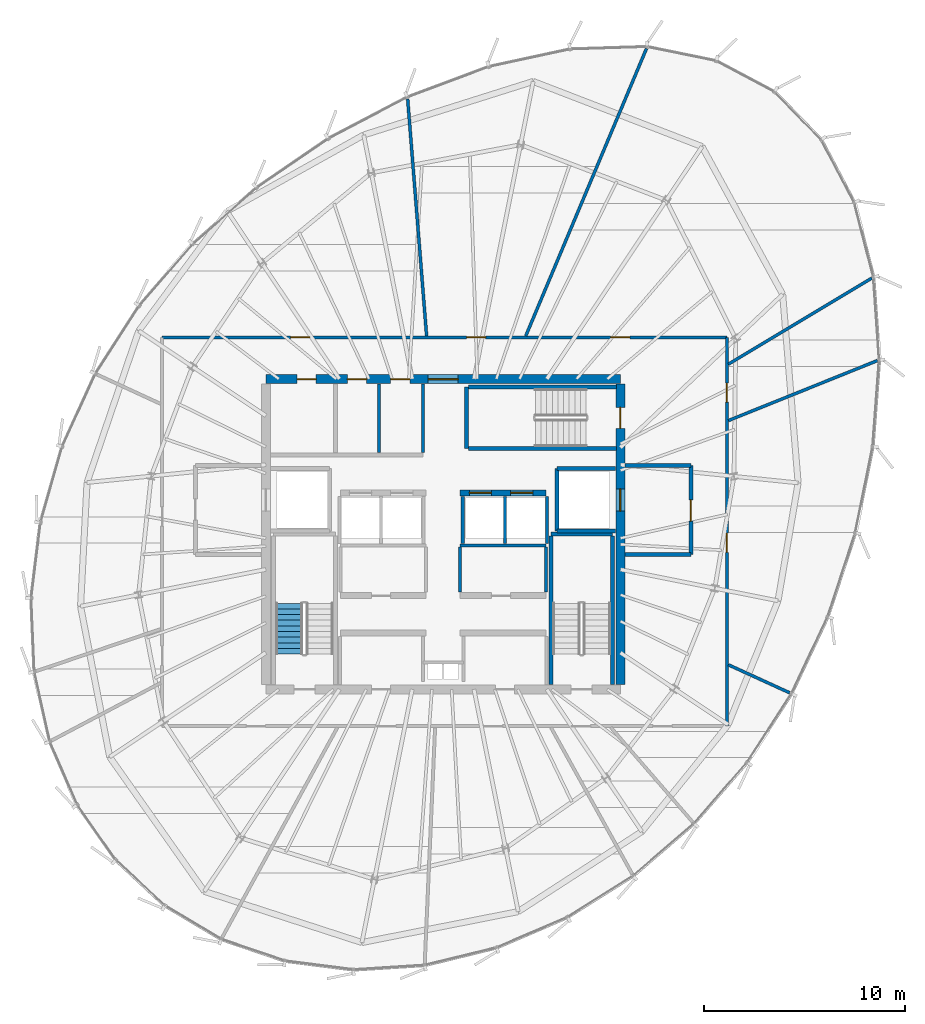
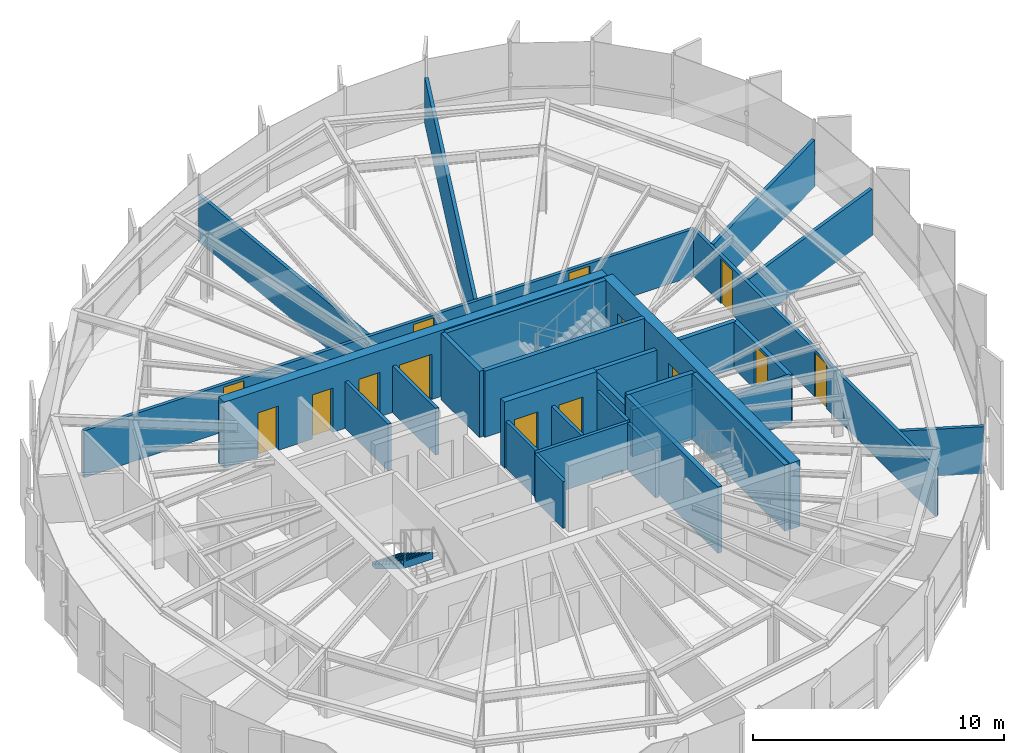
# One storey, part 30 of 35: 30 walls, 14 doors, 1 stair flight, 14 openings, 1 element without a shape of its own.
"""IFC4 building model written with IfcOpenShell, lengths in metres."""

from ifc_helpers import new_model, si_unit, direction, frame, frame_2d, origin, place, context, subcontext, project, spatial, polyline, rectangle, outline, extrude, source, transform, mapped, material, layer, layer_set, type_object, element, fill, aggregate, save


model = new_model("IFC4")

# Units and contexts
model_context = context("Model", 3, precision=1e-05, world=origin(), true_north=direction((0.0, 1.0)))
body_context = subcontext(model_context, "Body", "Model", "MODEL_VIEW")
ifc_project = project(units=[si_unit("LENGTHUNIT", "METRE"), si_unit("AREAUNIT", "SQUARE_METRE"), si_unit("VOLUMEUNIT", "CUBIC_METRE"), si_unit("PLANEANGLEUNIT", "RADIAN"), si_unit("MASSUNIT", "GRAM", prefix="KILO"), si_unit("THERMODYNAMICTEMPERATUREUNIT", "KELVIN")], contexts=[model_context])

# Site, building, storey
site_placement = place(None, origin())
site = spatial("IfcSite", under=ifc_project, at=site_placement, CompositionType="ELEMENT")
building_placement = place(site_placement, origin())
building = spatial("IfcBuilding", under=site, at=building_placement, Name="Kethvar Cultural Tower", CompositionType="ELEMENT")
storey_placement = place(building_placement, frame((0.0, 0.0, 249.10009765625)))
storey = spatial("IfcBuildingStorey", under=building, at=storey_placement, Name="L65", CompositionType="ELEMENT", Elevation=249.10009765625)

# Wall, openings, doors
ifc_material_1 = material(Name="Concrete C50/60", Category="concrete")
ifc_layer_1 = layer(ifc_material_1, 0.449951171875, Name="Concrete C50/60", Category="concrete")
ifc_layer_set_1 = layer_set([ifc_layer_1], Name="Concrete C50/60 (450 mm)")
wall_type_1 = type_object("IfcWallType", Name="WL-CORE-450", PredefinedType="SHEAR", material=ifc_layer_set_1)
wall_1_placement = place(storey_placement, frame((55.60009765625, 35.5, 0.0), z_axis=(0.0, 0.0, 1.0), x_axis=(-1.0, 0.0, 0.0)))
wall_1 = element("IfcWall", 1, at=wall_1_placement, inside=storey, type_object=wall_type_1, Name="L65 Core Shear Wall N", PredefinedType="SHEAR", context=body_context, shape_type="SweptSolid", body=[
    extrude(rectangle(XDim=17.60009765625, YDim=0.449951171875, at=frame_2d((8.800048828125, 0.0))), origin(), (0.0, 0.0, 1.0), 3.2099609375),
])
opening_1_placement = place(wall_1_placement, frame((8.050048828125, 0.0, 0.0)))
opening_1 = element("IfcOpeningElement", 2, at=opening_1_placement, cuts=wall_1, Name="Opening D-L65-LN", PredefinedType="OPENING", context=body_context, shape_type="SweptSolid", body=[
    extrude(rectangle(XDim=1.5, YDim=2.199951171875, at=frame_2d((0.75, 1.10009765625))), frame((0.0, 0.23486328125, 0.0), z_axis=(0.0, -1.0, 0.0), x_axis=(1.0, 0.0, 0.0)), (0.0, 0.0, 1.0), 0.469970703125),
])
opening_2_placement = place(wall_1_placement, frame((15.10009765625, 0.0, 0.0)))
opening_2 = element("IfcOpeningElement", 3, at=opening_2_placement, cuts=wall_1, Name="Opening D-L65-E1", PredefinedType="OPENING", context=body_context, shape_type="SweptSolid", body=[
    extrude(rectangle(XDim=0.949951171875, YDim=2.14990234375, at=frame_2d((0.47509765625, 1.074951171875))), frame((0.0, 0.23486328125, 0.0), z_axis=(0.0, -1.0, 0.0), x_axis=(1.0, 0.0, 0.0)), (0.0, 0.0, 1.0), 0.469970703125),
])
opening_3_placement = place(wall_1_placement, frame((12.60009765625, 0.0, 0.0)))
opening_3 = element("IfcOpeningElement", 4, at=opening_3_placement, cuts=wall_1, Name="Opening D-L65-W1", PredefinedType="OPENING", context=body_context, shape_type="SweptSolid", body=[
    extrude(rectangle(XDim=0.949951171875, YDim=2.14990234375, at=frame_2d((0.47509765625, 1.074951171875))), frame((0.0, 0.23486328125, 0.0), z_axis=(0.0, -1.0, 0.0), x_axis=(1.0, 0.0, 0.0)), (0.0, 0.0, 1.0), 0.469970703125),
])
opening_4_placement = place(wall_1_placement, frame((10.449951171875, 0.0, 0.0)))
opening_4 = element("IfcOpeningElement", 5, at=opening_4_placement, cuts=wall_1, Name="Opening D-L65-W2", PredefinedType="OPENING", context=body_context, shape_type="SweptSolid", body=[
    extrude(rectangle(XDim=0.949951171875, YDim=2.14990234375, at=frame_2d((0.47509765625, 1.074951171875))), frame((0.0, 0.23486328125, 0.0), z_axis=(0.0, -1.0, 0.0), x_axis=(1.0, 0.0, 0.0)), (0.0, 0.0, 1.0), 0.469970703125),
])
ifc_material_2 = material(Name="Architectural Oak Timber", Category="wood")
door_type_1 = type_object("IfcDoorType", Name="DR-DBL-FD60-1500", OperationType="DOUBLE_DOOR_SINGLE_SWING", PredefinedType="DOOR", material=ifc_material_2)
shared_shape_1 = source(origin(), body_context, "Body", "SweptSolid", [
    extrude(rectangle(XDim=1.5, YDim=2.199951171875, at=frame_2d((0.75, 1.10009765625))), frame((0.0, 0.02490234375, 0.0), z_axis=(0.0, -1.0, 0.0), x_axis=(1.0, 0.0, 0.0)), (0.0, 0.0, 1.0), 0.050048828125),
])
door_1_placement = place(opening_1_placement, origin())
door_1 = element("IfcDoor", 6, at=door_1_placement, inside=storey, type_object=door_type_1, Name="L65 Lift Lobby Concourse Door", OperationType="DOUBLE_DOOR_SINGLE_SWING", OverallHeight=2.199951171875, OverallWidth=1.5, PredefinedType="DOOR", context=body_context, shape_type="MappedRepresentation", body=[
    mapped(shared_shape_1, transform((0.0, 0.0, 0.0), scale=1.0)),
])
fill(opening_1, door_1)
door_type_2 = type_object("IfcDoorType", Name="DR-FD30-950", OperationType="NOTDEFINED", PredefinedType="DOOR", material=ifc_material_2)
shared_shape_2 = source(origin(), body_context, "Body", "SweptSolid", [
    extrude(rectangle(XDim=0.949951171875, YDim=2.14990234375, at=frame_2d((0.47509765625, 1.074951171875))), frame((0.0, 0.02490234375, 0.0), z_axis=(0.0, -1.0, 0.0), x_axis=(1.0, 0.0, 0.0)), (0.0, 0.0, 1.0), 0.050048828125),
])
door_2_placement = place(opening_2_placement, origin())
door_2 = element("IfcDoor", 7, at=door_2_placement, inside=storey, type_object=door_type_2, Name="L65 Electrical Switchgear Door", OperationType="SINGLE_SWING_RIGHT", OverallHeight=2.14990234375, OverallWidth=0.949951171875, PredefinedType="DOOR", context=body_context, shape_type="MappedRepresentation", body=[
    mapped(shared_shape_2, transform((0.0, 0.0, 0.0), scale=1.0)),
])
fill(opening_2, door_2)
door_3_placement = place(opening_3_placement, origin())
door_3 = element("IfcDoor", 8, at=door_3_placement, inside=storey, type_object=door_type_2, Name="L65 Accessible Washroom Door", OperationType="SINGLE_SWING_LEFT", OverallHeight=2.14990234375, OverallWidth=0.949951171875, PredefinedType="DOOR", context=body_context, shape_type="MappedRepresentation", body=[
    mapped(shared_shape_2, transform((0.0, 0.0, 0.0), scale=1.0)),
])
fill(opening_3, door_3)
door_4_placement = place(opening_4_placement, origin())
door_4 = element("IfcDoor", 9, at=door_4_placement, inside=storey, type_object=door_type_2, Name="L65 Public Washroom Door", OperationType="SINGLE_SWING_RIGHT", OverallHeight=2.14990234375, OverallWidth=0.949951171875, PredefinedType="DOOR", context=body_context, shape_type="MappedRepresentation", body=[
    mapped(shared_shape_2, transform((0.0, 0.0, 0.0), scale=1.0)),
])
fill(opening_4, door_4)

wall_2_placement = place(storey_placement, frame((55.60009765625, 20.340087890625, 0.0), z_axis=(0.0, 0.0, 1.0), x_axis=(0.0, 1.0, 0.0)))
wall_2 = element("IfcWall", 10, at=wall_2_placement, inside=storey, type_object=wall_type_1, Name="L65 Core Shear Wall E", PredefinedType="SHEAR", context=body_context, shape_type="SweptSolid", body=[
    extrude(rectangle(XDim=14.919921875, YDim=0.449951171875, at=frame_2d((7.4599609375, 0.0))), origin(), (0.0, 0.0, 1.0), 3.2099609375),
])
opening_5_placement = place(wall_2_placement, frame((12.7099609375, 0.0, 0.0)))
opening_5 = element("IfcOpeningElement", 11, at=opening_5_placement, cuts=wall_2, Name="Opening D-L65-S3", PredefinedType="OPENING", context=body_context, shape_type="SweptSolid", body=[
    extrude(rectangle(XDim=1.050048828125, YDim=2.14990234375, at=frame_2d((0.52490234375, 1.074951171875))), frame((0.0, 0.23486328125, 0.0), z_axis=(0.0, -1.0, 0.0), x_axis=(1.0, 0.0, 0.0)), (0.0, 0.0, 1.0), 0.469970703125),
])
opening_6_placement = place(wall_2_placement, frame((8.610107421875, 0.0, 0.0)))
opening_6 = element("IfcOpeningElement", 12, at=opening_6_placement, cuts=wall_2, Name="Opening LD-2", PredefinedType="OPENING", context=body_context, shape_type="SweptSolid", body=[
    extrude(rectangle(XDim=1.10009765625, YDim=2.199951171875, at=frame_2d((0.550048828125, 1.10009765625))), frame((0.0, 0.23486328125, 0.0), z_axis=(0.0, -1.0, 0.0), x_axis=(1.0, 0.0, 0.0)), (0.0, 0.0, 1.0), 0.469970703125),
])
ifc_material_3 = material(Name="Steel S355J2", Category="steel")
door_type_3 = type_object("IfcDoorType", Name="DR-FD60-1050", OperationType="NOTDEFINED", PredefinedType="DOOR", material=ifc_material_3)
shared_shape_3 = source(origin(), body_context, "Body", "SweptSolid", [
    extrude(rectangle(XDim=1.050048828125, YDim=2.14990234375, at=frame_2d((0.52490234375, 1.074951171875))), frame((0.0, 0.02490234375, 0.0), z_axis=(0.0, -1.0, 0.0), x_axis=(1.0, 0.0, 0.0)), (0.0, 0.0, 1.0), 0.050048828125),
])
door_5_placement = place(opening_5_placement, origin())
door_5 = element("IfcDoor", 13, at=door_5_placement, inside=storey, type_object=door_type_3, Name="L65 Exit Stair 3 Door", OperationType="SINGLE_SWING_LEFT", OverallHeight=2.14990234375, OverallWidth=1.050048828125, PredefinedType="DOOR", context=body_context, shape_type="MappedRepresentation", body=[
    mapped(shared_shape_3, transform((0.0, 0.0, 0.0), scale=1.0)),
])
fill(opening_5, door_5)
door_type_4 = type_object("IfcDoorType", Name="DR-LIFT-SLIDE-1100", OperationType="NOTDEFINED", PredefinedType="DOOR", material=ifc_material_3)
shared_shape_4 = source(origin(), body_context, "Body", "SweptSolid", [
    extrude(rectangle(XDim=1.10009765625, YDim=2.199951171875, at=frame_2d((0.550048828125, 1.10009765625))), frame((0.0, 0.02490234375, 0.0), z_axis=(0.0, -1.0, 0.0), x_axis=(1.0, 0.0, 0.0)), (0.0, 0.0, 1.0), 0.050048828125),
])
door_6_placement = place(opening_6_placement, origin())
door_6 = element("IfcDoor", 14, at=door_6_placement, inside=storey, type_object=door_type_4, Name="L65 Firefighting Lift Landing Door FFL-02", OperationType="SLIDING_TO_RIGHT", OverallHeight=2.199951171875, OverallWidth=1.10009765625, PredefinedType="DOOR", context=body_context, shape_type="MappedRepresentation", body=[
    mapped(shared_shape_4, transform((0.0, 0.0, 0.0), scale=1.0)),
])
fill(opening_6, door_6)

# Walls
ifc_material_4 = material(Name="Gypsum Fireboard Partition")
ifc_layer_2 = layer(ifc_material_4, 0.14990234375, Name="Gypsum Fireboard Partition")
ifc_layer_set_2 = layer_set([ifc_layer_2], Name="Gypsum Fireboard Partition (150 mm)")
wall_type_2 = type_object("IfcWallType", Name="WL-FIRE-150", PredefinedType="PARTITIONING", material=ifc_layer_set_2)
wall_3_placement = place(storey_placement, frame((47.64990234375, 27.25, 0.0), z_axis=(0.0, 0.0, 1.0), x_axis=(1.0, 0.0, 0.0)))
element("IfcWall", 15, at=wall_3_placement, inside=storey, type_object=wall_type_2, Name="L65 Reclaimed Mid Wall E", PredefinedType="PARTITIONING", context=body_context, shape_type="SweptSolid", body=[
    extrude(rectangle(XDim=4.25, YDim=0.14990234375, at=frame_2d((2.125, 0.0))), origin(), (0.0, 0.0, 1.0), 2.27978515625),
])
for number, where, z_axis, x_axis, name in (
    (16, (47.64990234375, 24.919921875, 0.0), (0.0, 0.0, 1.0), (0.0, 1.0, 0.0), "L65 Reclaimed Mid Spine E"),
    (17, (51.89990234375, 24.919921875, 0.0), (0.0, 0.0, 1.0), (0.0, 1.0, 0.0), "L65 Reclaimed Mid Outer E"),
):
    element("IfcWall", number, at=place(storey_placement, frame(where, z_axis=z_axis, x_axis=x_axis)), inside=storey, type_object=wall_type_2, Name=name, PredefinedType="PARTITIONING", context=body_context, shape_type="SweptSolid", body=[
        extrude(rectangle(XDim=2.239990234375, YDim=0.14990234375, at=frame_2d((1.1201171875, 0.0))), origin(), (0.0, 0.0, 1.0), 2.27978515625),
    ])
for number, where, z_axis, x_axis, name in (
    (18, (47.77490234375, 27.340087890625, 0.0), (0.0, 0.0, 1.0), (0.0, 1.0, 0.0), "L65 High-Rise Lift Shaft Concourse Wall E"),
    (19, (49.875, 27.340087890625, 0.0), (0.0, 0.0, 1.0), (0.0, 1.0, 0.0), "L65 High-Rise Lift Shaft Divider E"),
    (20, (51.949951171875, 27.340087890625, 0.0), (0.0, 0.0, 1.0), (0.0, 1.0, 0.0), "L65 High-Rise Lift Shaft Outer Wall E"),
):
    element("IfcWall", number, at=place(storey_placement, frame(where, z_axis=z_axis, x_axis=x_axis)), inside=storey, type_object=wall_type_2, Name=name, PredefinedType="PARTITIONING", context=body_context, shape_type="SweptSolid", body=[
        extrude(rectangle(XDim=2.33984375, YDim=0.14990234375, at=frame_2d((1.169921875, 0.0))), origin(), (0.0, 0.0, 1.0), 2.27978515625),
    ])
wall_4_placement = place(storey_placement, frame((45.800048828125, 31.85009765625, 0.0), z_axis=(0.0, 0.0, 1.0), x_axis=(0.0, 1.0, 0.0)))
element("IfcWall", 21, at=wall_4_placement, inside=storey, type_object=wall_type_2, Name="L65 Sanitary Spine Wall", PredefinedType="PARTITIONING", context=body_context, shape_type="SweptSolid", body=[
    extrude(rectangle(XDim=3.414794921875, YDim=0.14990234375, at=frame_2d((1.70751953125, 0.0))), origin(), (0.0, 0.0, 1.0), 2.27978515625),
])

# Wall, openings, doors
wall_5_placement = place(storey_placement, frame((60.887939453125, 18.26904296875, 0.0), z_axis=(0.0, 0.0, 1.0), x_axis=(0.0, 1.0, 0.0)))
wall_5 = element("IfcWall", 22, at=wall_5_placement, inside=storey, type_object=wall_type_2, Name="L65 Corridor Rated Wall E", PredefinedType="PARTITIONING", context=body_context, shape_type="SweptSolid", body=[
    extrude(rectangle(XDim=19.29296875, YDim=0.14990234375, at=frame_2d((9.646484375, 0.0))), origin(), (0.0, 0.0, 1.0), 2.27978515625),
])
opening_7_placement = place(wall_5_placement, frame((8.633056640625, 0.0, 0.0)))
opening_7 = element("IfcOpeningElement", 23, at=opening_7_placement, cuts=wall_5, Name="Opening D-L65-07", PredefinedType="OPENING", context=body_context, shape_type="SweptSolid", body=[
    extrude(rectangle(XDim=0.949951171875, YDim=2.14990234375, at=frame_2d((0.47509765625, 1.074951171875))), frame((0.0, 0.0849609375, 0.0), z_axis=(0.0, -1.0, 0.0), x_axis=(1.0, 0.0, 0.0)), (0.0, 0.0, 1.0), 0.169921875),
])
opening_8_placement = place(wall_5_placement, frame((16.081298828125, 0.0, 0.0)))
opening_8 = element("IfcOpeningElement", 24, at=opening_8_placement, cuts=wall_5, Name="Opening D-L65-08", PredefinedType="OPENING", context=body_context, shape_type="SweptSolid", body=[
    extrude(rectangle(XDim=0.949951171875, YDim=2.14990234375, at=frame_2d((0.47509765625, 1.074951171875))), frame((0.0, 0.0849609375, 0.0), z_axis=(0.0, -1.0, 0.0), x_axis=(1.0, 0.0, 0.0)), (0.0, 0.0, 1.0), 0.169921875),
])
door_7_placement = place(opening_7_placement, origin())
door_7 = element("IfcDoor", 25, at=door_7_placement, inside=storey, type_object=door_type_2, Name="L65 Rare Folio Storage 07 Door", OperationType="SINGLE_SWING_RIGHT", OverallHeight=2.14990234375, OverallWidth=0.949951171875, PredefinedType="DOOR", context=body_context, shape_type="MappedRepresentation", body=[
    mapped(shared_shape_2, transform((0.0, 0.0, 0.0), scale=1.0)),
])
fill(opening_7, door_7)
door_8_placement = place(opening_8_placement, origin())
door_8 = element("IfcDoor", 26, at=door_8_placement, inside=storey, type_object=door_type_2, Name="L65 Publication Archive Store 08 Door", OperationType="SINGLE_SWING_LEFT", OverallHeight=2.14990234375, OverallWidth=0.949951171875, PredefinedType="DOOR", context=body_context, shape_type="MappedRepresentation", body=[
    mapped(shared_shape_2, transform((0.0, 0.0, 0.0), scale=1.0)),
])
fill(opening_8, door_8)

wall_6_placement = place(storey_placement, frame((60.887939453125, 37.56201171875, 0.0), z_axis=(0.0, 0.0, 1.0), x_axis=(-1.0, 0.0, 0.0)))
wall_6 = element("IfcWall", 27, at=wall_6_placement, inside=storey, type_object=wall_type_2, Name="L65 Corridor Rated Wall N", PredefinedType="PARTITIONING", context=body_context, shape_type="SweptSolid", body=[
    extrude(rectangle(XDim=28.037841796875, YDim=0.14990234375, at=frame_2d((14.01904296875, 0.0))), origin(), (0.0, 0.0, 1.0), 2.27978515625),
])
opening_9_placement = place(wall_6_placement, frame((4.823974609375, 0.0, 0.0)))
opening_9 = element("IfcOpeningElement", 28, at=opening_9_placement, cuts=wall_6, Name="Opening D-L65-09", PredefinedType="OPENING", context=body_context, shape_type="SweptSolid", body=[
    extrude(rectangle(XDim=0.949951171875, YDim=2.14990234375, at=frame_2d((0.47509765625, 1.074951171875))), frame((0.0, 0.0849609375, 0.0), z_axis=(0.0, -1.0, 0.0), x_axis=(1.0, 0.0, 0.0)), (0.0, 0.0, 1.0), 0.169921875),
])
opening_10_placement = place(wall_6_placement, frame((11.973388671875, 0.0, 0.0)))
opening_10 = element("IfcOpeningElement", 29, at=opening_10_placement, cuts=wall_6, Name="Opening D-L65-10", PredefinedType="OPENING", context=body_context, shape_type="SweptSolid", body=[
    extrude(rectangle(XDim=0.949951171875, YDim=2.14990234375, at=frame_2d((0.47509765625, 1.074951171875))), frame((0.0, 0.0849609375, 0.0), z_axis=(0.0, -1.0, 0.0), x_axis=(1.0, 0.0, 0.0)), (0.0, 0.0, 1.0), 0.169921875),
])
opening_11_placement = place(wall_6_placement, frame((20.70458984375, 0.0, 0.0)))
opening_11 = element("IfcOpeningElement", 30, at=opening_11_placement, cuts=wall_6, Name="Opening D-L65-11", PredefinedType="OPENING", context=body_context, shape_type="SweptSolid", body=[
    extrude(rectangle(XDim=0.949951171875, YDim=2.14990234375, at=frame_2d((0.47509765625, 1.074951171875))), frame((0.0, 0.0849609375, 0.0), z_axis=(0.0, -1.0, 0.0), x_axis=(1.0, 0.0, 0.0)), (0.0, 0.0, 1.0), 0.169921875),
])
door_9_placement = place(opening_9_placement, origin())
door_9 = element("IfcDoor", 31, at=door_9_placement, inside=storey, type_object=door_type_2, Name="L65 Concourse Visitor Foyer 09 Door", OperationType="SINGLE_SWING_RIGHT", OverallHeight=2.14990234375, OverallWidth=0.949951171875, PredefinedType="DOOR", context=body_context, shape_type="MappedRepresentation", body=[
    mapped(shared_shape_2, transform((0.0, 0.0, 0.0), scale=1.0)),
])
fill(opening_9, door_9)
door_10_placement = place(opening_10_placement, origin())
door_10 = element("IfcDoor", 32, at=door_10_placement, inside=storey, type_object=door_type_2, Name="L65 Fellowship Seminar Room 10 Door", OperationType="SINGLE_SWING_LEFT", OverallHeight=2.14990234375, OverallWidth=0.949951171875, PredefinedType="DOOR", context=body_context, shape_type="MappedRepresentation", body=[
    mapped(shared_shape_2, transform((0.0, 0.0, 0.0), scale=1.0)),
])
fill(opening_10, door_10)
door_11_placement = place(opening_11_placement, origin())
door_11 = element("IfcDoor", 33, at=door_11_placement, inside=storey, type_object=door_type_2, Name="L65 Institute Tea Pantry 11 Door", OperationType="SINGLE_SWING_RIGHT", OverallHeight=2.14990234375, OverallWidth=0.949951171875, PredefinedType="DOOR", context=body_context, shape_type="MappedRepresentation", body=[
    mapped(shared_shape_2, transform((0.0, 0.0, 0.0), scale=1.0)),
])
fill(opening_11, door_11)

# Walls
ifc_material_5 = material(Name="Concrete C40/50", Category="concrete")
ifc_layer_3 = layer(ifc_material_5, 0.199951171875, Name="Concrete C40/50", Category="concrete")
ifc_layer_set_3 = layer_set([ifc_layer_3], Name="Concrete C40/50 (200 mm)")
wall_type_3 = type_object("IfcWallType", Name="WL-FIRE-200", PredefinedType="PARTITIONING", material=ifc_layer_set_3)
wall_7_placement = place(storey_placement, frame((52.449951171875, 27.949951171875, 0.0), z_axis=(0.0, 0.0, 1.0), x_axis=(0.0, 1.0, 0.0)))
element("IfcWall", 34, at=wall_7_placement, inside=storey, type_object=wall_type_3, Name="L65 FFL-02 Shaft Inner Wall", PredefinedType="PARTITIONING", context=body_context, shape_type="SweptSolid", body=[
    extrude(rectangle(XDim=3.10009765625, YDim=0.199951171875, at=frame_2d((1.550048828125, 0.0))), origin(), (0.0, 0.0, 1.0), 2.27978515625),
])
for number, where, z_axis, x_axis, name in (
    (35, (52.449951171875, 27.949951171875, 0.0), (0.0, 0.0, 1.0), (1.0, 0.0, 0.0), "L65 FFL-02 Shaft South Wall"),
    (36, (52.449951171875, 31.050048828125, 0.0), (0.0, 0.0, 1.0), (1.0, 0.0, 0.0), "L65 FFL-02 Shaft North Wall"),
):
    element("IfcWall", number, at=place(storey_placement, frame(where, z_axis=z_axis, x_axis=x_axis)), inside=storey, type_object=wall_type_3, Name=name, PredefinedType="PARTITIONING", context=body_context, shape_type="SweptSolid", body=[
        extrude(rectangle(XDim=2.9150390625, YDim=0.199951171875, at=frame_2d((1.45751953125, 0.0))), origin(), (0.0, 0.0, 1.0), 2.27978515625),
    ])

# Wall, opening, door
wall_8_placement = place(storey_placement, frame((59.10009765625, 26.800048828125, 0.0), z_axis=(0.0, 0.0, 1.0), x_axis=(0.0, 1.0, 0.0)))
wall_8 = element("IfcWall", 37, at=wall_8_placement, inside=storey, type_object=wall_type_3, Name="L65 Firefighting Lobby 2 Wall", PredefinedType="PARTITIONING", context=body_context, shape_type="SweptSolid", body=[
    extrude(rectangle(XDim=4.39990234375, YDim=0.199951171875, at=frame_2d((2.199951171875, 0.0))), origin(), (0.0, 0.0, 1.0), 2.27978515625),
])
opening_12_placement = place(wall_8_placement, frame((1.64990234375, 0.0, 0.0)))
opening_12 = element("IfcOpeningElement", 38, at=opening_12_placement, cuts=wall_8, Name="Opening D-L65-F2", PredefinedType="OPENING", context=body_context, shape_type="SweptSolid", body=[
    extrude(rectangle(XDim=1.050048828125, YDim=2.14990234375, at=frame_2d((0.52490234375, 1.074951171875))), frame((0.0, 0.10986328125, 0.0), z_axis=(0.0, -1.0, 0.0), x_axis=(1.0, 0.0, 0.0)), (0.0, 0.0, 1.0), 0.219970703125),
])
door_12_placement = place(opening_12_placement, origin())
door_12 = element("IfcDoor", 39, at=door_12_placement, inside=storey, type_object=door_type_3, Name="L65 Firefighting Lobby 2 Fire Door", OperationType="SINGLE_SWING_LEFT", OverallHeight=2.14990234375, OverallWidth=1.050048828125, PredefinedType="DOOR", context=body_context, shape_type="MappedRepresentation", body=[
    mapped(shared_shape_3, transform((0.0, 0.0, 0.0), scale=1.0)),
])
fill(opening_12, door_12)

# Walls
for number, where, z_axis, x_axis, name in (
    (40, (55.8349609375, 26.800048828125, 0.0), (0.0, 0.0, 1.0), (1.0, 0.0, 0.0), "L65 FF Lobby 2 South Wall"),
    (41, (55.8349609375, 31.199951171875, 0.0), (0.0, 0.0, 1.0), (1.0, 0.0, 0.0), "L65 FF Lobby 2 North Wall"),
):
    element("IfcWall", number, at=place(storey_placement, frame(where, z_axis=z_axis, x_axis=x_axis)), inside=storey, type_object=wall_type_3, Name=name, PredefinedType="PARTITIONING", context=body_context, shape_type="SweptSolid", body=[
        extrude(rectangle(XDim=3.26513671875, YDim=0.199951171875, at=frame_2d((1.632568359375, 0.0))), origin(), (0.0, 0.0, 1.0), 2.27978515625),
    ])
ifc_material_6 = material(Name="Gypsum Acoustic Partition")
ifc_layer_4 = layer(ifc_material_6, 0.14990234375, Name="Gypsum Acoustic Partition")
ifc_layer_set_4 = layer_set([ifc_layer_4], Name="Gypsum Acoustic Partition (150 mm)")
wall_type_4 = type_object("IfcWallType", Name="WL-PART-150", PredefinedType="PARTITIONING", material=ifc_layer_set_4)
wall_9_placement = place(storey_placement, frame((60.960693359375, 21.31689453125, 0.0), z_axis=(0.0, 0.0, 1.0), x_axis=(0.909386961263, -0.415951144589, 0.0)))
element("IfcWall", 42, at=wall_9_placement, inside=storey, type_object=wall_type_4, Name="L65 Radial Partition Wall 07", PredefinedType="PARTITIONING", context=body_context, shape_type="SweptSolid", body=[
    extrude(rectangle(XDim=3.34619140625, YDim=0.14990234375, at=frame_2d((1.673095703125, 0.0))), origin(), (0.0, 0.0, 1.0), 2.27978515625),
])
wall_10_placement = place(storey_placement, frame((60.962158203125, 33.440185546875, 0.0), z_axis=(0.0, 0.0, 1.0), x_axis=(0.927646411648, 0.373459683173, 0.0)))
element("IfcWall", 43, at=wall_10_placement, inside=storey, type_object=wall_type_4, Name="L65 Radial Partition Wall 08", PredefinedType="PARTITIONING", context=body_context, shape_type="SweptSolid", body=[
    extrude(rectangle(XDim=7.971435546875, YDim=0.14990234375, at=frame_2d((3.98583984375, 0.0))), origin(), (0.0, 0.0, 1.0), 2.27978515625),
])
wall_11_placement = place(storey_placement, frame((60.95654296875, 36.2353515625, 0.0), z_axis=(0.0, 0.0, 1.0), x_axis=(0.857355417477, 0.514724866431, 0.0)))
element("IfcWall", 44, at=wall_11_placement, inside=storey, type_object=wall_type_4, Name="L65 Radial Partition Wall 09", PredefinedType="PARTITIONING", context=body_context, shape_type="SweptSolid", body=[
    extrude(rectangle(XDim=8.3046875, YDim=0.14990234375, at=frame_2d((4.15234375, 0.0))), origin(), (0.0, 0.0, 1.0), 2.27978515625),
])
wall_12_placement = place(storey_placement, frame((50.90087890625, 37.6357421875, 0.0), z_axis=(0.0, 0.0, 1.0), x_axis=(0.387249919783, 0.921974782534, 0.0)))
element("IfcWall", 45, at=wall_12_placement, inside=storey, type_object=wall_type_4, Name="L65 Radial Partition Wall 10", PredefinedType="PARTITIONING", context=body_context, shape_type="SweptSolid", body=[
    extrude(rectangle(XDim=15.4736328125, YDim=0.14990234375, at=frame_2d((7.73681640625, 0.0))), origin(), (0.0, 0.0, 1.0), 2.27978515625),
])
wall_13_placement = place(storey_placement, frame((45.980712890625, 37.6416015625, 0.0), z_axis=(0.0, 0.0, 1.0), x_axis=(-0.079751805429, 0.996814751863, 0.0)))
element("IfcWall", 46, at=wall_13_placement, inside=storey, type_object=wall_type_4, Name="L65 Radial Partition Wall 11", PredefinedType="PARTITIONING", context=body_context, shape_type="SweptSolid", body=[
    extrude(rectangle(XDim=11.7919921875, YDim=0.14990234375, at=frame_2d((5.89599609375, 0.0))), origin(), (0.0, 0.0, 1.0), 2.27978515625),
])
ifc_material_7 = material(Name="Moisture-Resistant Sanitary Chase Wall")
ifc_layer_5 = layer(ifc_material_7, 0.14990234375, Name="Moisture-Resistant Sanitary Chase Wall")
ifc_layer_set_5 = layer_set([ifc_layer_5], Name="Moisture-Resistant Sanitary Chase Wall (150 mm)")
wall_type_5 = type_object("IfcWallType", Name="WL-PLUMB-150", PredefinedType="PLUMBINGWALL", material=ifc_layer_set_5)
wall_14_placement = place(storey_placement, frame((43.6201171875, 31.85009765625, 0.0), z_axis=(0.0, 0.0, 1.0), x_axis=(0.0, 1.0, 0.0)))
element("IfcWall", 47, at=wall_14_placement, inside=storey, type_object=wall_type_5, Name="L65 Sanitary Plumbing Wall", PredefinedType="PLUMBINGWALL", context=body_context, shape_type="SweptSolid", body=[
    extrude(rectangle(XDim=3.414794921875, YDim=0.14990234375, at=frame_2d((1.70751953125, 0.0))), origin(), (0.0, 0.0, 1.0), 2.27978515625),
])

# Wall, openings, doors
ifc_layer_6 = layer(ifc_material_1, 0.300048828125, Name="Concrete C50/60", Category="concrete")
ifc_layer_set_6 = layer_set([ifc_layer_6], Name="Concrete C50/60 (300 mm)")
wall_type_6 = type_object("IfcWallType", Name="WL-SHAFT-300", PredefinedType="SHEAR", material=ifc_layer_set_6)
wall_15_placement = place(storey_placement, frame((47.64990234375, 29.85009765625, 0.0), z_axis=(0.0, 0.0, 1.0), x_axis=(1.0, 0.0, 0.0)))
wall_15 = element("IfcWall", 48, at=wall_15_placement, inside=storey, type_object=wall_type_6, Name="L65 Core Lift Spine Wall MID3E", PredefinedType="SHEAR", context=body_context, shape_type="SweptSolid", body=[
    extrude(rectangle(XDim=4.25, YDim=0.300048828125, at=frame_2d((2.125, 0.0))), origin(), (0.0, 0.0, 1.0), 3.2099609375),
])
opening_13_placement = place(wall_15_placement, frame((0.449951171875, 0.0, 0.0)))
opening_13 = element("IfcOpeningElement", 49, at=opening_13_placement, cuts=wall_15, Name="Opening LD-H3", PredefinedType="OPENING", context=body_context, shape_type="SweptSolid", body=[
    extrude(rectangle(XDim=1.10009765625, YDim=2.199951171875, at=frame_2d((0.550048828125, 1.10009765625))), frame((0.0, 0.159912109375, 0.0), z_axis=(0.0, -1.0, 0.0), x_axis=(1.0, 0.0, 0.0)), (0.0, 0.0, 1.0), 0.320068359375),
])
opening_14_placement = place(wall_15_placement, frame((2.5, 0.0, 0.0)))
opening_14 = element("IfcOpeningElement", 50, at=opening_14_placement, cuts=wall_15, Name="Opening LD-H4", PredefinedType="OPENING", context=body_context, shape_type="SweptSolid", body=[
    extrude(rectangle(XDim=1.10009765625, YDim=2.199951171875, at=frame_2d((0.550048828125, 1.10009765625))), frame((0.0, 0.159912109375, 0.0), z_axis=(0.0, -1.0, 0.0), x_axis=(1.0, 0.0, 0.0)), (0.0, 0.0, 1.0), 0.320068359375),
])
door_13_placement = place(opening_13_placement, origin())
door_13 = element("IfcDoor", 51, at=door_13_placement, inside=storey, type_object=door_type_4, Name="L65 High-Rise Lift Landing Door H3", OperationType="SLIDING_TO_LEFT", OverallHeight=2.199951171875, OverallWidth=1.10009765625, PredefinedType="DOOR", context=body_context, shape_type="MappedRepresentation", body=[
    mapped(shared_shape_4, transform((0.0, 0.0, 0.0), scale=1.0)),
])
fill(opening_13, door_13)
door_14_placement = place(opening_14_placement, origin())
door_14 = element("IfcDoor", 52, at=door_14_placement, inside=storey, type_object=door_type_4, Name="L65 High-Rise Lift Landing Door H4", OperationType="SLIDING_TO_LEFT", OverallHeight=2.199951171875, OverallWidth=1.10009765625, PredefinedType="DOOR", context=body_context, shape_type="MappedRepresentation", body=[
    mapped(shared_shape_4, transform((0.0, 0.0, 0.0), scale=1.0)),
])
fill(opening_14, door_14)

# Walls
ifc_layer_7 = layer(ifc_material_1, 0.199951171875, Name="Concrete C50/60", Category="concrete")
ifc_layer_set_7 = layer_set([ifc_layer_7], Name="Concrete C50/60 (200 mm)")
wall_type_7 = type_object("IfcWallType", Name="WL-STSHAFT-200", PredefinedType="SHEAR", material=ifc_layer_set_7)
wall_16_placement = place(storey_placement, frame((52.14990234375, 27.800048828125, 0.0), z_axis=(0.0, 0.0, 1.0), x_axis=(1.0, 0.0, 0.0)))
element("IfcWall", 53, at=wall_16_placement, inside=storey, type_object=wall_type_7, Name="L65 ST-02 Stair Shaft Wall FAR", PredefinedType="SHEAR", context=body_context, shape_type="SweptSolid", body=[
    extrude(rectangle(XDim=3.06005859375, YDim=0.199951171875, at=frame_2d((1.530029296875, 0.0))), origin(), (0.0, 0.0, 1.0), 3.2099609375),
])
for number, where, z_axis, x_axis, name in (
    (54, (55.2099609375, 27.699951171875, 0.0), (0.0, 0.0, 1.0), (0.0, -1.0, 0.0), "L65 ST-02 Stair Shaft Wall LEFT"),
    (55, (52.14990234375, 20.35009765625, 0.0), (0.0, 0.0, 1.0), (0.0, 1.0, 0.0), "L65 ST-02 Stair Shaft Wall RIGHT"),
):
    element("IfcWall", number, at=place(storey_placement, frame(where, z_axis=z_axis, x_axis=x_axis)), inside=storey, type_object=wall_type_7, Name=name, PredefinedType="SHEAR", context=body_context, shape_type="SweptSolid", body=[
        extrude(rectangle(XDim=7.349853515625, YDim=0.199951171875, at=frame_2d((3.6748046875, 0.0))), origin(), (0.0, 0.0, 1.0), 3.2099609375),
    ])
wall_17_placement = place(storey_placement, frame((47.949951171875, 32.050048828125, 0.0), z_axis=(0.0, 0.0, 1.0), x_axis=(0.0, 1.0, 0.0)))
element("IfcWall", 56, at=wall_17_placement, inside=storey, type_object=wall_type_7, Name="L65 ST-03 Stair Shaft Wall FAR", PredefinedType="SHEAR", context=body_context, shape_type="SweptSolid", body=[
    extrude(rectangle(XDim=3.06005859375, YDim=0.199951171875, at=frame_2d((1.530029296875, 0.0))), origin(), (0.0, 0.0, 1.0), 3.2099609375),
])
for number, where, z_axis, x_axis, name in (
    (57, (48.050048828125, 35.110107421875, 0.0), (0.0, 0.0, 1.0), (1.0, 0.0, 0.0), "L65 ST-03 Stair Shaft Wall LEFT"),
    (58, (55.39990234375, 32.050048828125, 0.0), (0.0, 0.0, 1.0), (-1.0, 0.0, 0.0), "L65 ST-03 Stair Shaft Wall RIGHT"),
):
    element("IfcWall", number, at=place(storey_placement, frame(where, z_axis=z_axis, x_axis=x_axis)), inside=storey, type_object=wall_type_7, Name=name, PredefinedType="SHEAR", context=body_context, shape_type="SweptSolid", body=[
        extrude(rectangle(XDim=7.349853515625, YDim=0.199951171875, at=frame_2d((3.6748046875, 0.0))), origin(), (0.0, 0.0, 1.0), 3.2099609375),
    ])

# Stair, stair flight
stair_type = type_object("IfcStairType", Name="ST-DOGLEG-135", PredefinedType="HALF_TURN_STAIR", material=ifc_material_5)
stair_placement = place(storey_placement, origin())
stair = element("IfcStair", 59, at=stair_placement, inside=storey, type_object=stair_type, Name="L65 Core Exit Stair 1", PredefinedType="HALF_TURN_STAIR")
stair_flight_type = type_object("IfcStairFlightType", Name="FL-STRAIGHT-135", PredefinedType="STRAIGHT", material=ifc_material_5)
stair_flight_placement = place(storey_placement, frame((39.1650390625, 24.3701171875, 1.724853515625), z_axis=(0.0, 0.0, 1.0), x_axis=(0.0, -1.0, 0.0)))
stair_flight = element("IfcStairFlight", 60, at=stair_flight_placement, type_object=stair_flight_type, Name="ST-01 flight 2", NumberOfRisers=10, NumberOfTreads=9, PredefinedType="STRAIGHT", RiserHeight=0.1725, TreadLength=0.28, context=body_context, shape_type="SweptSolid", body=[
    extrude(outline(polyline([(-0.0009765625, -0.0009765625), (-0.0009765625, 0.172607421875), (0.280029296875, 0.172607421875), (0.280029296875, 0.344970703125), (0.56005859375, 0.344970703125), (0.56005859375, 0.517578125), (0.840087890625, 0.517578125), (0.840087890625, 0.68994140625), (1.1201171875, 0.68994140625), (1.1201171875, 0.862548828125), (1.39990234375, 0.862548828125), (1.39990234375, 1.034912109375), (1.679931640625, 1.034912109375), (1.679931640625, 1.20751953125), (1.9599609375, 1.20751953125), (1.9599609375, 1.3798828125), (2.239990234375, 1.3798828125), (2.239990234375, 1.552490234375), (2.52001953125, 1.552490234375), (2.52001953125, 1.72509765625), (2.52099609375, 1.72509765625), (2.52099609375, 1.37646484375), (0.285888671875, 0.0), (0.0, -0.0009765625), (-0.0009765625, -0.0009765625)])), frame((0.0, 0.675048828125, 0.0), z_axis=(0.0, -1.0, 0.0), x_axis=(1.0, 0.0, 0.0)), (0.0, 0.0, 1.0), 1.35009765625),
])
aggregate(stair, [stair_flight])

save(model, "model.ifc")
